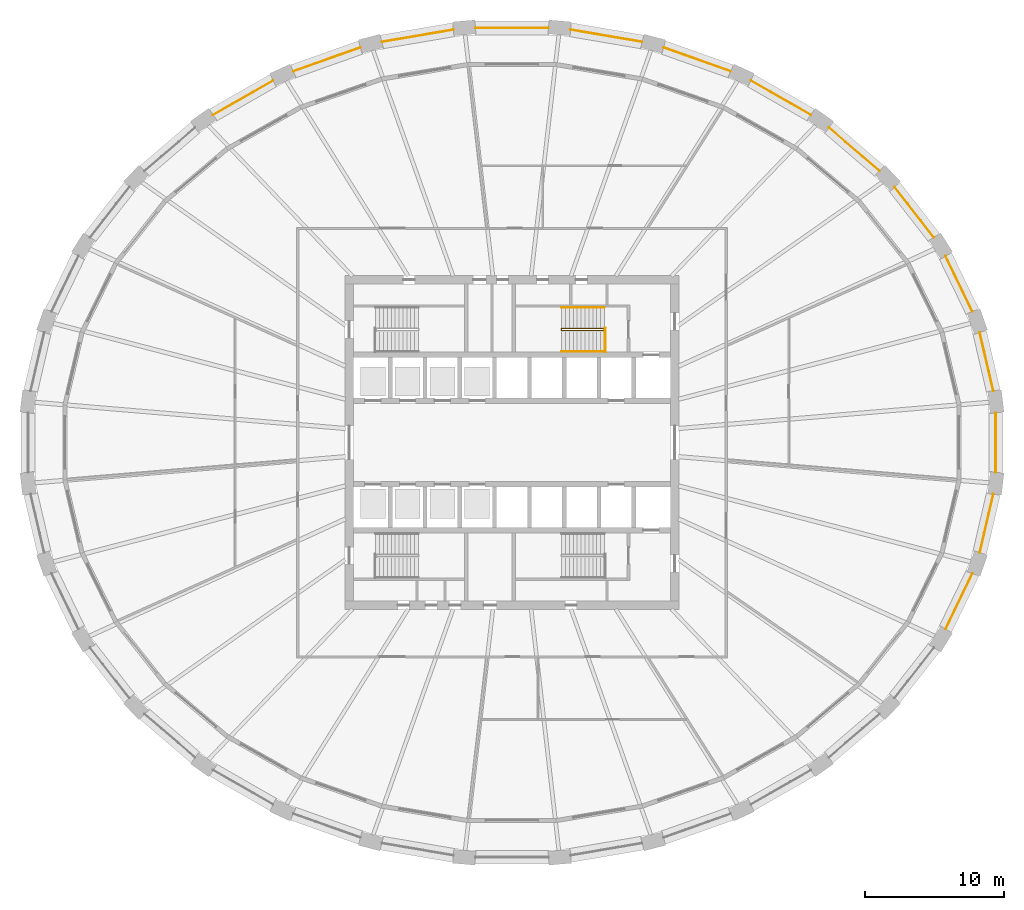
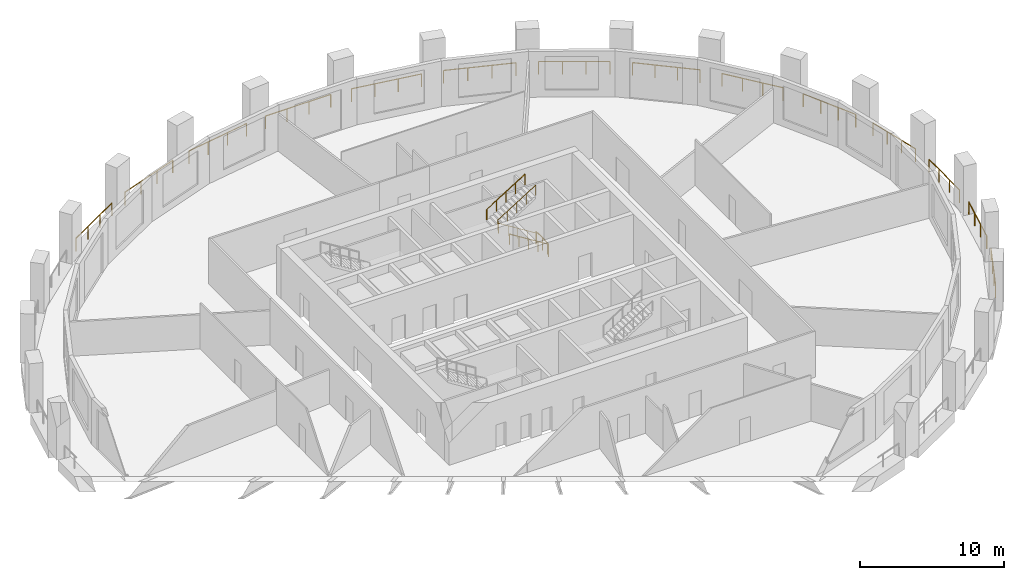
# One storey, part 9 of 10: 18 railings.
"""IFC4 building model written with IfcOpenShell, lengths in metres."""

import ifcopenshell
import ifcopenshell.guid

model = None  # the IFC model being written
_history = None  # IfcOwnerHistory: only IFC2X3 demands one
_inside = {}  # id of a spatial element -> (the spatial element, [elements in it])
_under = {}  # id of a project, library or spatial element -> (it, [spatial elements below it])
_declared = {}  # id of a project -> (the project, [libraries it declares])
_typed = {}  # id of a type object -> (the type object, [elements of that type])
_made_of = {}  # id of a material, layer set ... -> (it, [elements and type objects made of it])


def new_model(schema):
    """Start an empty IFC model of exactly this schema.

    Asked for "IFC4X3", IfcOpenShell would pick the latest addendum, in which some entities
    have other attributes; the version numbers below select the first issue.
    IFC2X3 requires an IfcOwnerHistory on every rooted entity: one is made here for all.
    """
    global model, _history
    if schema == "IFC4X3":
        model = ifcopenshell.file(schema_version=(4, 3, 0, 0))
    else:
        model = ifcopenshell.file(schema=schema)
    _inside.clear()
    _under.clear()
    _declared.clear()
    _typed.clear()
    _made_of.clear()
    _history = None
    if model.schema == "IFC2X3":
        org = make("IfcOrganization", Name="unknown")
        user = make(
            "IfcPersonAndOrganization",
            ThePerson=make("IfcPerson", FamilyName="unknown"),
            TheOrganization=org,
        )
        app = make(
            "IfcApplication",
            ApplicationDeveloper=org,
            Version="unknown",
            ApplicationFullName="unknown",
            ApplicationIdentifier="unknown",
        )
        _history = make(
            "IfcOwnerHistory",
            OwningUser=user,
            OwningApplication=app,
            ChangeAction="ADDED",
            CreationDate=0,
        )
    return model


def make(cls, **values):
    """One entity of the class cls with the attributes given. An attribute that is None is left unset."""
    return model.create_entity(
        cls, **{name: value for name, value in values.items() if value is not None}
    )


def rooted(cls, **values):
    """An entity with a GlobalId (a new one), such as an element, a storey or a relation."""
    return make(cls, GlobalId=ifcopenshell.guid.new(), OwnerHistory=_history, **values)


def si_unit(unit_type, name, prefix=None):
    """IfcSIUnit, for example si_unit("LENGTHUNIT", "METRE", prefix="MILLI")."""
    return make("IfcSIUnit", UnitType=unit_type, Prefix=prefix, Name=name)


def assignment(units):
    """IfcUnitAssignment: the units of a project."""
    return None if units is None else make("IfcUnitAssignment", Units=units)


def point(xyz):
    """IfcCartesianPoint."""
    return None if xyz is None else make("IfcCartesianPoint", Coordinates=xyz)


def direction(xyz):
    """IfcDirection."""
    return None if xyz is None else make("IfcDirection", DirectionRatios=xyz)


def frame(location, z_axis=None, x_axis=None):
    """IfcAxis2Placement3D, a coordinate frame: its origin and axes. An axis left out is left unset."""
    return make(
        "IfcAxis2Placement3D",
        Location=point(location),
        Axis=direction(z_axis),
        RefDirection=direction(x_axis),
    )


def frame_2d(location, x_axis=None):
    """IfcAxis2Placement2D, a coordinate frame in the plane: its origin and x axis."""
    return make(
        "IfcAxis2Placement2D", Location=point(location), RefDirection=direction(x_axis)
    )


def origin():
    """The frame at (0, 0, 0) with its axes left unset."""
    return frame((0.0, 0.0, 0.0))


def origin_2d():
    """The frame at (0, 0) in the plane with its x axis left unset."""
    return frame_2d((0.0, 0.0))


def place(relative_to, where):
    """IfcLocalPlacement: puts the frame where relative to a parent placement (None: the world)."""
    return make(
        "IfcLocalPlacement", PlacementRelTo=relative_to, RelativePlacement=where
    )


def context(
    kind, dimensions, precision=None, world=None, true_north=None, identifier=None
):
    """IfcGeometricRepresentationContext, for example the 3D "Model" context."""
    return make(
        "IfcGeometricRepresentationContext",
        ContextIdentifier=identifier,
        ContextType=kind,
        CoordinateSpaceDimension=dimensions,
        Precision=precision,
        WorldCoordinateSystem=world,
        TrueNorth=true_north,
    )


def subcontext(parent, identifier, kind, view, scale=None):
    """IfcGeometricRepresentationSubContext, for example "Body" below "Model"."""
    return make(
        "IfcGeometricRepresentationSubContext",
        ContextIdentifier=identifier,
        ContextType=kind,
        ParentContext=parent,
        TargetScale=scale,
        TargetView=view,
    )


def project(units=None, contexts=None):
    """IfcProject with its units and contexts."""
    return rooted(
        "IfcProject",
        Name="project",
        RepresentationContexts=contexts,
        UnitsInContext=assignment(units),
    )


def spatial(cls, under=None, at=None, **own):
    """A site, building, storey or space (cls), placed at a placement, below another one or the project."""
    s = rooted(cls, ObjectPlacement=at, **own)
    if under is not None:
        _under.setdefault(under.id(), (under, []))[1].append(s)
    return s


def profile(cls, at=None, kind="AREA", **sizes):
    """A parametric profile (cls). Its sizes go by their IFC names, for example OverallWidth=200.0."""
    return make(cls, ProfileType=kind, Position=at, **sizes)


def circle(**sizes):
    """IfcCircleProfileDef."""
    return profile("IfcCircleProfileDef", **sizes)


def extrude(swept, where, along, depth):
    """IfcExtrudedAreaSolid: the profile swept, set in the frame where, extruded along a direction by depth."""
    return make(
        "IfcExtrudedAreaSolid",
        SweptArea=swept,
        Position=where,
        ExtrudedDirection=direction(along),
        Depth=depth,
    )


def shape(context_of_items, identifier, shape_type, items):
    """IfcShapeRepresentation: the items that make up one representation, for example the "Body"."""
    return make(
        "IfcShapeRepresentation",
        ContextOfItems=context_of_items,
        RepresentationIdentifier=identifier,
        RepresentationType=shape_type,
        Items=items,
    )


def material(Name=None, Category=None):
    """IfcMaterial."""
    return make("IfcMaterial", Name=Name, Category=Category)


def made_of(thing, what):
    """Note that an element or type object is made of a material, layer set ...; save() writes the relation."""
    if what is not None:
        _made_of.setdefault(what.id(), (what, []))[1].append(thing)
    return thing


def type_object(cls, material=None, **own):
    """A type object (cls), such as IfcWallType, which elements share."""
    return made_of(rooted(cls, **own), material)


def element(
    cls,
    number,
    at=None,
    inside=None,
    cuts=None,
    type_object=None,
    material=None,
    context=None,
    identifier="Body",
    shape_type=None,
    held_by="IfcProductDefinitionShape",
    body=None,
    shapes=None,
    **own,
):
    """One element of the class cls, such as IfcWall. Its Tag is "e" and its number.

    at: its placement. inside: the storey or other place that contains it. cuts: it is an
    opening in that element (IfcRelVoidsElement). A single representation is given by context,
    identifier, shape_type and body (its items); several are given by shapes. held_by: the class
    of the entity that holds the representations. save() writes the other relations.
    """
    e = rooted(cls, Tag="e%d" % number, ObjectPlacement=at, **own)
    if body is not None:
        shapes = [shape(context, identifier, shape_type, body)]
    if shapes is not None:
        e.Representation = make(held_by, Representations=shapes)
    if inside is not None:
        _inside.setdefault(inside.id(), (inside, []))[1].append(e)
    if cuts is not None:
        rooted(
            "IfcRelVoidsElement", RelatingBuildingElement=cuts, RelatedOpeningElement=e
        )
    if type_object is not None:
        _typed.setdefault(type_object.id(), (type_object, []))[1].append(e)
    return made_of(e, material)


def aggregate(whole, parts):
    """IfcRelAggregates: a whole, such as a stair, and the parts it consists of."""
    return rooted("IfcRelAggregates", RelatingObject=whole, RelatedObjects=parts)


def save(model, path):
    """Write the relations noted so far, then the file.

    IfcRelAggregates (storeys below a building ...), IfcRelContainedInSpatialStructure (elements
    in a storey), IfcRelDefinesByType, IfcRelAssociatesMaterial and IfcRelDeclares: one each for
    every whole, place, type object, material and project.
    """
    for whole, parts in _under.values():
        aggregate(whole, parts)
    for where, things in _inside.values():
        rooted(
            "IfcRelContainedInSpatialStructure",
            RelatedElements=things,
            RelatingStructure=where,
        )
    for kind, things in _typed.values():
        rooted("IfcRelDefinesByType", RelatedObjects=things, RelatingType=kind)
    for what, things in _made_of.values():
        rooted("IfcRelAssociatesMaterial", RelatedObjects=things, RelatingMaterial=what)
    for by, libraries in _declared.values():
        rooted("IfcRelDeclares", RelatingContext=by, RelatedDefinitions=libraries)
    model.write(path)


model = new_model("IFC4")

# Units and contexts
model_context = context("Model", 3, precision=1e-05, world=origin(), true_north=direction((0.0, 1.0)))
body_context = subcontext(model_context, "Body", "Model", "MODEL_VIEW")
ifc_project = project(units=[si_unit("LENGTHUNIT", "METRE"), si_unit("AREAUNIT", "SQUARE_METRE"), si_unit("VOLUMEUNIT", "CUBIC_METRE"), si_unit("PLANEANGLEUNIT", "RADIAN"), si_unit("MASSUNIT", "GRAM", prefix="KILO")], contexts=[model_context])

# Site, building, storey
site_placement = place(None, origin())
site = spatial("IfcSite", under=ifc_project, at=site_placement, CompositionType="ELEMENT")
building_placement = place(site_placement, origin())
building = spatial("IfcBuilding", under=site, at=building_placement, Name="Halqa Exchange Tower", CompositionType="ELEMENT")
storey_placement = place(building_placement, frame((0.0, 0.0, 121.300048828125)))
storey = spatial("IfcBuildingStorey", under=building, at=storey_placement, Name="L27", CompositionType="ELEMENT", Elevation=121.300048828125)

# Railings
ifc_material = material(Name="Stainless steel", Category="steel")
railing_type_1 = type_object("IfcRailingType", Name="Guard 1100 stainless steel", PredefinedType="GUARDRAIL", material=ifc_material)
railing_1_placement = place(storey_placement, frame((34.598388671875, 3.71533203125, 0.0)))
element("IfcRailing", 1, at=railing_1_placement, inside=storey, type_object=railing_type_1, Name="Loggia guard 1", PredefinedType="GUARDRAIL", context=body_context, shape_type="SweptSolid", body=[
    extrude(circle(Radius=0.02392578125, at=origin_2d()), frame((0.0, 0.0, 1.076171875), z_axis=(-0.226116277414, 0.974100317774, 0.0), x_axis=(-0.974100317774, -0.226116277414, 0.0)), (0.0, 0.0, 1.0), 4.312255859375),
    extrude(circle(Radius=0.02099609375, at=origin_2d()), origin(), (0.0, 0.0, 1.0), 1.052001953125),
    extrude(circle(Radius=0.02099609375, at=origin_2d()), frame((-0.324951171875, 1.400146484375, 0.0)), (0.0, 0.0, 1.0), 1.052001953125),
    extrude(circle(Radius=0.02099609375, at=origin_2d()), frame((-0.650146484375, 2.800537109375, 0.0)), (0.0, 0.0, 1.0), 1.052001953125),
    extrude(circle(Radius=0.02099609375, at=origin_2d()), frame((-0.97509765625, 4.20068359375, 0.0)), (0.0, 0.0, 1.0), 1.052001953125),
])
railing_2_placement = place(storey_placement, frame((33.094482421875, 9.415771484375, 0.0)))
element("IfcRailing", 2, at=railing_2_placement, inside=storey, type_object=railing_type_1, Name="Loggia guard 2", PredefinedType="GUARDRAIL", context=body_context, shape_type="SweptSolid", body=[
    extrude(circle(Radius=0.02392578125, at=origin_2d()), frame((0.0, 0.0, 1.076171875), z_axis=(-0.43510232477, 0.900381012117, 0.0), x_axis=(-0.900381012117, -0.43510232477, 0.0)), (0.0, 0.0, 1.0), 4.425537109375),
    extrude(circle(Radius=0.02099609375, at=origin_2d()), origin(), (0.0, 0.0, 1.0), 1.052001953125),
    extrude(circle(Radius=0.02099609375, at=origin_2d()), frame((-0.641845703125, 1.328125, 0.0)), (0.0, 0.0, 1.0), 1.052001953125),
    extrude(circle(Radius=0.02099609375, at=origin_2d()), frame((-1.28369140625, 2.656494140625, 0.0)), (0.0, 0.0, 1.0), 1.052001953125),
    extrude(circle(Radius=0.02099609375, at=origin_2d()), frame((-1.925537109375, 3.984619140625, 0.0)), (0.0, 0.0, 1.0), 1.052001953125),
])
railing_3_placement = place(storey_placement, frame((30.3291015625, 14.75146484375, 0.0)))
element("IfcRailing", 3, at=railing_3_placement, inside=storey, type_object=railing_type_1, Name="Loggia guard 3", PredefinedType="GUARDRAIL", context=body_context, shape_type="SweptSolid", body=[
    extrude(circle(Radius=0.02392578125, at=origin_2d()), frame((0.0, 0.0, 1.076171875), z_axis=(-0.614794379483, 0.788687435526, 0.0), x_axis=(-0.788687435526, -0.614794379483, 0.0)), (0.0, 0.0, 1.0), 4.591064453125),
    extrude(circle(Radius=0.02099609375, at=origin_2d()), origin(), (0.0, 0.0, 1.0), 1.052001953125),
    extrude(circle(Radius=0.02099609375, at=origin_2d()), frame((-0.94091796875, 1.20703125, 0.0)), (0.0, 0.0, 1.0), 1.052001953125),
    extrude(circle(Radius=0.02099609375, at=origin_2d()), frame((-1.881591796875, 2.413818359375, 0.0)), (0.0, 0.0, 1.0), 1.052001953125),
    extrude(circle(Radius=0.02099609375, at=origin_2d()), frame((-2.822509765625, 3.620849609375, 0.0)), (0.0, 0.0, 1.0), 1.052001953125),
])
railing_4_placement = place(storey_placement, frame((26.4072265625, 19.523681640625, 0.0)))
element("IfcRailing", 4, at=railing_4_placement, inside=storey, type_object=railing_type_1, Name="Loggia guard 4", PredefinedType="GUARDRAIL", context=body_context, shape_type="SweptSolid", body=[
    extrude(circle(Radius=0.02392578125, at=origin_2d()), frame((0.0, 0.0, 1.076171875), z_axis=(-0.759213341011, 0.650841841641, 0.0), x_axis=(-0.650841841641, -0.759213341011, 0.0)), (0.0, 0.0, 1.0), 4.780517578125),
    extrude(circle(Radius=0.02099609375, at=origin_2d()), origin(), (0.0, 0.0, 1.0), 1.052001953125),
    extrude(circle(Radius=0.02099609375, at=origin_2d()), frame((-1.209716796875, 1.037109375, 0.0)), (0.0, 0.0, 1.0), 1.052001953125),
    extrude(circle(Radius=0.02099609375, at=origin_2d()), frame((-2.419677734375, 2.07421875, 0.0)), (0.0, 0.0, 1.0), 1.052001953125),
    extrude(circle(Radius=0.02099609375, at=origin_2d()), frame((-3.62939453125, 3.111328125, 0.0)), (0.0, 0.0, 1.0), 1.052001953125),
])
railing_5_placement = place(storey_placement, frame((21.476318359375, 23.552978515625, 0.0)))
element("IfcRailing", 5, at=railing_5_placement, inside=storey, type_object=railing_type_1, Name="Loggia guard 5", PredefinedType="GUARDRAIL", context=body_context, shape_type="SweptSolid", body=[
    extrude(circle(Radius=0.02392578125, at=origin_2d()), frame((0.0, 0.0, 1.076171875), z_axis=(-0.867764594192, 0.496975461232, 0.0), x_axis=(-0.496975461232, -0.867764594192, 0.0)), (0.0, 0.0, 1.0), 4.964599609375),
    extrude(circle(Radius=0.02099609375, at=origin_2d()), origin(), (0.0, 0.0, 1.0), 1.052001953125),
    extrude(circle(Radius=0.02099609375, at=origin_2d()), frame((-1.43603515625, 0.822509765625, 0.0)), (0.0, 0.0, 1.0), 1.052001953125),
    extrude(circle(Radius=0.02099609375, at=origin_2d()), frame((-2.8720703125, 1.644775390625, 0.0)), (0.0, 0.0, 1.0), 1.052001953125),
    extrude(circle(Radius=0.02099609375, at=origin_2d()), frame((-4.30810546875, 2.46728515625, 0.0)), (0.0, 0.0, 1.0), 1.052001953125),
])
railing_6_placement = place(storey_placement, frame((15.72021484375, 26.685546875, 0.0)))
element("IfcRailing", 6, at=railing_6_placement, inside=storey, type_object=railing_type_1, Name="Loggia guard 6", PredefinedType="GUARDRAIL", context=body_context, shape_type="SweptSolid", body=[
    extrude(circle(Radius=0.02392578125, at=origin_2d()), frame((0.0, 0.0, 1.076171875), z_axis=(-0.942363208547, 0.334591666329, 0.0), x_axis=(-0.334591666329, -0.942363208547, 0.0)), (0.0, 0.0, 1.0), 5.116455078125),
    extrude(circle(Radius=0.02099609375, at=origin_2d()), origin(), (0.0, 0.0, 1.0), 1.052001953125),
    extrude(circle(Radius=0.02099609375, at=origin_2d()), frame((-1.607177734375, 0.570556640625, 0.0)), (0.0, 0.0, 1.0), 1.052001953125),
    extrude(circle(Radius=0.02099609375, at=origin_2d()), frame((-3.21435546875, 1.141357421875, 0.0)), (0.0, 0.0, 1.0), 1.052001953125),
    extrude(circle(Radius=0.02099609375, at=origin_2d()), frame((-4.821533203125, 1.7119140625, 0.0)), (0.0, 0.0, 1.0), 1.052001953125),
])
railing_7_placement = place(storey_placement, frame((9.356201171875, 28.799560546875, 0.0)))
element("IfcRailing", 7, at=railing_7_placement, inside=storey, type_object=railing_type_1, Name="Loggia guard 7", PredefinedType="GUARDRAIL", context=body_context, shape_type="SweptSolid", body=[
    extrude(circle(Radius=0.02392578125, at=origin_2d()), frame((0.0, 0.0, 1.076171875), z_axis=(-0.985774843574, 0.168071287782, 0.0), x_axis=(-0.168071287782, -0.985774843574, 0.0)), (0.0, 0.0, 1.0), 5.21630859375),
    extrude(circle(Radius=0.02099609375, at=origin_2d()), origin(), (0.0, 0.0, 1.0), 1.052001953125),
    extrude(circle(Radius=0.02099609375, at=origin_2d()), frame((-1.714111328125, 0.292236328125, 0.0)), (0.0, 0.0, 1.0), 1.052001953125),
    extrude(circle(Radius=0.02099609375, at=origin_2d()), frame((-3.427978515625, 0.58447265625, 0.0)), (0.0, 0.0, 1.0), 1.052001953125),
    extrude(circle(Radius=0.02099609375, at=origin_2d()), frame((-5.14208984375, 0.876708984375, 0.0)), (0.0, 0.0, 1.0), 1.052001953125),
])
railing_8_placement = place(storey_placement, frame((2.62548828125, 29.810791015625, 0.0)))
element("IfcRailing", 8, at=railing_8_placement, inside=storey, type_object=railing_type_1, Name="Loggia guard 8", PredefinedType="GUARDRAIL", context=body_context, shape_type="SweptSolid", body=[
    extrude(circle(Radius=0.02392578125, at=origin_2d()), frame((0.0, 0.0, 1.076171875), z_axis=(-1.0, 0.0, 0.0), x_axis=(0.0, -1.0, 0.0)), (0.0, 0.0, 1.0), 5.2509765625),
    extrude(circle(Radius=0.02099609375, at=origin_2d()), origin(), (0.0, 0.0, 1.0), 1.052001953125),
    extrude(circle(Radius=0.02099609375, at=origin_2d()), frame((-1.750244140625, 0.0, 0.0)), (0.0, 0.0, 1.0), 1.052001953125),
    extrude(circle(Radius=0.02099609375, at=origin_2d()), frame((-3.500732421875, 0.0, 0.0)), (0.0, 0.0, 1.0), 1.052001953125),
    extrude(circle(Radius=0.02099609375, at=origin_2d()), frame((-5.2509765625, 0.0, 0.0)), (0.0, 0.0, 1.0), 1.052001953125),
])
railing_9_placement = place(storey_placement, frame((-4.214111328125, 29.67626953125, 0.0)))
element("IfcRailing", 9, at=railing_9_placement, inside=storey, type_object=railing_type_1, Name="Loggia guard 9", PredefinedType="GUARDRAIL", context=body_context, shape_type="SweptSolid", body=[
    extrude(circle(Radius=0.02392578125, at=origin_2d()), frame((0.0, 0.0, 1.076171875), z_axis=(-0.985774843574, -0.168071287782, 0.0), x_axis=(0.168071287782, -0.985774843574, 0.0)), (0.0, 0.0, 1.0), 5.21630859375),
    extrude(circle(Radius=0.02099609375, at=origin_2d()), origin(), (0.0, 0.0, 1.0), 1.052001953125),
    extrude(circle(Radius=0.02099609375, at=origin_2d()), frame((-1.714111328125, -0.292236328125, 0.0)), (0.0, 0.0, 1.0), 1.052001953125),
    extrude(circle(Radius=0.02099609375, at=origin_2d()), frame((-3.427978515625, -0.58447265625, 0.0)), (0.0, 0.0, 1.0), 1.052001953125),
    extrude(circle(Radius=0.02099609375, at=origin_2d()), frame((-5.14208984375, -0.876708984375, 0.0)), (0.0, 0.0, 1.0), 1.052001953125),
])
railing_10_placement = place(storey_placement, frame((-10.898681640625, 28.3974609375, 0.0)))
element("IfcRailing", 10, at=railing_10_placement, inside=storey, type_object=railing_type_1, Name="Loggia guard 10", PredefinedType="GUARDRAIL", context=body_context, shape_type="SweptSolid", body=[
    extrude(circle(Radius=0.02392578125, at=origin_2d()), frame((0.0, 0.0, 1.076171875), z_axis=(-0.942363208547, -0.334591666329, 0.0), x_axis=(0.334591666329, -0.942363208547, 0.0)), (0.0, 0.0, 1.0), 5.116455078125),
    extrude(circle(Radius=0.02099609375, at=origin_2d()), origin(), (0.0, 0.0, 1.0), 1.052001953125),
    extrude(circle(Radius=0.02099609375, at=origin_2d()), frame((-1.607177734375, -0.570556640625, 0.0)), (0.0, 0.0, 1.0), 1.052001953125),
    extrude(circle(Radius=0.02099609375, at=origin_2d()), frame((-3.21435546875, -1.141357421875, 0.0)), (0.0, 0.0, 1.0), 1.052001953125),
    extrude(circle(Radius=0.02099609375, at=origin_2d()), frame((-4.821533203125, -1.7119140625, 0.0)), (0.0, 0.0, 1.0), 1.052001953125),
])
railing_11_placement = place(storey_placement, frame((-17.168212890625, 26.020263671875, 0.0)))
element("IfcRailing", 11, at=railing_11_placement, inside=storey, type_object=railing_type_1, Name="Loggia guard 11", PredefinedType="GUARDRAIL", context=body_context, shape_type="SweptSolid", body=[
    extrude(circle(Radius=0.02392578125, at=origin_2d()), frame((0.0, 0.0, 1.076171875), z_axis=(-0.867764594192, -0.496975461232, 0.0), x_axis=(0.496975461232, -0.867764594192, 0.0)), (0.0, 0.0, 1.0), 4.964599609375),
    extrude(circle(Radius=0.02099609375, at=origin_2d()), origin(), (0.0, 0.0, 1.0), 1.052001953125),
    extrude(circle(Radius=0.02099609375, at=origin_2d()), frame((-1.43603515625, -0.822509765625, 0.0)), (0.0, 0.0, 1.0), 1.052001953125),
    extrude(circle(Radius=0.02099609375, at=origin_2d()), frame((-2.8720703125, -1.644775390625, 0.0)), (0.0, 0.0, 1.0), 1.052001953125),
    extrude(circle(Radius=0.02099609375, at=origin_2d()), frame((-4.30810546875, -2.46728515625, 0.0)), (0.0, 0.0, 1.0), 1.052001953125),
])
railing_12_placement = place(storey_placement, frame((31.1689453125, -13.400390625, 0.0)))
element("IfcRailing", 12, at=railing_12_placement, inside=storey, type_object=railing_type_1, Name="Loggia guard 30", PredefinedType="GUARDRAIL", context=body_context, shape_type="SweptSolid", body=[
    extrude(circle(Radius=0.02392578125, at=origin_2d()), frame((0.0, 0.0, 1.076171875), z_axis=(0.43510232477, 0.900381012117, 0.0), x_axis=(-0.900381012117, 0.43510232477, 0.0)), (0.0, 0.0, 1.0), 4.425537109375),
    extrude(circle(Radius=0.02099609375, at=origin_2d()), origin(), (0.0, 0.0, 1.0), 1.052001953125),
    extrude(circle(Radius=0.02099609375, at=origin_2d()), frame((0.641845703125, 1.328125, 0.0)), (0.0, 0.0, 1.0), 1.052001953125),
    extrude(circle(Radius=0.02099609375, at=origin_2d()), frame((1.28369140625, 2.656494140625, 0.0)), (0.0, 0.0, 1.0), 1.052001953125),
    extrude(circle(Radius=0.02099609375, at=origin_2d()), frame((1.925537109375, 3.984619140625, 0.0)), (0.0, 0.0, 1.0), 1.052001953125),
])
railing_13_placement = place(storey_placement, frame((33.623291015625, -7.916015625, 0.0)))
element("IfcRailing", 13, at=railing_13_placement, inside=storey, type_object=railing_type_1, Name="Loggia guard 31", PredefinedType="GUARDRAIL", context=body_context, shape_type="SweptSolid", body=[
    extrude(circle(Radius=0.02392578125, at=origin_2d()), frame((0.0, 0.0, 1.076171875), z_axis=(0.226116277414, 0.974100317774, 0.0), x_axis=(-0.974100317774, 0.226116277414, 0.0)), (0.0, 0.0, 1.0), 4.312255859375),
    extrude(circle(Radius=0.02099609375, at=origin_2d()), origin(), (0.0, 0.0, 1.0), 1.052001953125),
    extrude(circle(Radius=0.02099609375, at=origin_2d()), frame((0.324951171875, 1.400146484375, 0.0)), (0.0, 0.0, 1.0), 1.052001953125),
    extrude(circle(Radius=0.02099609375, at=origin_2d()), frame((0.650146484375, 2.800537109375, 0.0)), (0.0, 0.0, 1.0), 1.052001953125),
    extrude(circle(Radius=0.02099609375, at=origin_2d()), frame((0.97509765625, 4.20068359375, 0.0)), (0.0, 0.0, 1.0), 1.052001953125),
])
railing_14_placement = place(storey_placement, frame((34.779052734375, -2.135986328125, 0.0)))
element("IfcRailing", 14, at=railing_14_placement, inside=storey, type_object=railing_type_1, Name="Loggia guard 32", PredefinedType="GUARDRAIL", context=body_context, shape_type="SweptSolid", body=[
    extrude(circle(Radius=0.02392578125, at=origin_2d()), frame((0.0, 0.0, 1.076171875), z_axis=(0.0, 1.0, 0.0), x_axis=(-1.0, 0.0, 0.0)), (0.0, 0.0, 1.0), 4.27197265625),
    extrude(circle(Radius=0.02099609375, at=origin_2d()), origin(), (0.0, 0.0, 1.0), 1.052001953125),
    extrude(circle(Radius=0.02099609375, at=origin_2d()), frame((0.0, 1.424072265625, 0.0)), (0.0, 0.0, 1.0), 1.052001953125),
    extrude(circle(Radius=0.02099609375, at=origin_2d()), frame((0.0, 2.847900390625, 0.0)), (0.0, 0.0, 1.0), 1.052001953125),
    extrude(circle(Radius=0.02099609375, at=origin_2d()), frame((0.0, 4.27197265625, 0.0)), (0.0, 0.0, 1.0), 1.052001953125),
])
railing_type_2 = type_object("IfcRailingType", Name="Stair handrail 900", PredefinedType="HANDRAIL", material=ifc_material)
railing_15_placement = place(storey_placement, frame((6.64990234375, 8.06005859375, 0.175048828125)))
element("IfcRailing", 15, at=railing_15_placement, inside=storey, type_object=railing_type_2, Name="Handrail ST2.1", PredefinedType="HANDRAIL", context=body_context, shape_type="SweptSolid", body=[
    extrude(circle(Radius=0.02392578125, at=origin_2d()), frame((0.0, 0.0, 0.8759765625), z_axis=(-0.848009633417, 0.0, 0.529980812513), x_axis=(0.0, -1.0, 0.0)), (0.0, 0.0, 1.0), 3.6318359375),
    extrude(circle(Radius=0.02392578125, at=origin_2d()), frame((-3.079833984375, 0.0, 2.80078125), z_axis=(0.0, 0.595870227118, 0.803080738428), x_axis=(-1.0, 0.0, 0.0)), (0.0, 0.0, 1.0), 0.218017578125),
    extrude(circle(Radius=0.02392578125, at=origin_2d()), frame((-3.079833984375, 0.1298828125, 2.9755859375), z_axis=(0.847979421464, 0.0, 0.530029150871), x_axis=(0.0, 1.0, 0.0)), (0.0, 0.0, 1.0), 3.632080078125),
    extrude(circle(Radius=0.02099609375, at=origin_2d()), origin(), (0.0, 0.0, 1.0), 0.851806640625),
    extrude(circle(Radius=0.02099609375, at=origin_2d()), frame((-0.77001953125, 0.0, 0.481201171875)), (0.0, 0.0, 1.0), 0.851806640625),
    extrude(circle(Radius=0.02099609375, at=origin_2d()), frame((-1.5400390625, 0.0, 0.96240234375)), (0.0, 0.0, 1.0), 0.851806640625),
    extrude(circle(Radius=0.02099609375, at=origin_2d()), frame((-2.309814453125, 0.0, 1.443603515625)), (0.0, 0.0, 1.0), 0.851806640625),
    extrude(circle(Radius=0.02099609375, at=origin_2d()), frame((-3.079833984375, 0.0, 1.9248046875)), (0.0, 0.0, 1.0), 0.851806640625),
    extrude(circle(Radius=0.02099609375, at=origin_2d()), frame((-3.079833984375, 0.1298828125, 2.099853515625)), (0.0, 0.0, 1.0), 0.851806640625),
    extrude(circle(Radius=0.02099609375, at=origin_2d()), frame((-2.309814453125, 0.1298828125, 2.5810546875)), (0.0, 0.0, 1.0), 0.851806640625),
    extrude(circle(Radius=0.02099609375, at=origin_2d()), frame((-1.5400390625, 0.1298828125, 3.0625)), (0.0, 0.0, 1.0), 0.851806640625),
    extrude(circle(Radius=0.02099609375, at=origin_2d()), frame((-0.77001953125, 0.1298828125, 3.543701171875)), (0.0, 0.0, 1.0), 0.851806640625),
    extrude(circle(Radius=0.02099609375, at=origin_2d()), frame((0.0, 0.1298828125, 4.02490234375)), (0.0, 0.0, 1.0), 0.851806640625),
])
railing_16_placement = place(storey_placement, frame((6.64990234375, 6.550048828125, 0.175048828125)))
element("IfcRailing", 16, at=railing_16_placement, inside=storey, type_object=railing_type_2, Name="Handrail ST2.2", PredefinedType="HANDRAIL", context=body_context, shape_type="SweptSolid", body=[
    extrude(circle(Radius=0.02392578125, at=origin_2d()), frame((0.0, 0.0, 0.8759765625), z_axis=(-0.848009633417, 0.0, 0.529980812513), x_axis=(0.0, -1.0, 0.0)), (0.0, 0.0, 1.0), 3.6318359375),
    extrude(circle(Radius=0.02099609375, at=origin_2d()), origin(), (0.0, 0.0, 1.0), 0.851806640625),
    extrude(circle(Radius=0.02099609375, at=origin_2d()), frame((-0.77001953125, 0.0, 0.481201171875)), (0.0, 0.0, 1.0), 0.851806640625),
    extrude(circle(Radius=0.02099609375, at=origin_2d()), frame((-1.5400390625, 0.0, 0.96240234375)), (0.0, 0.0, 1.0), 0.851806640625),
    extrude(circle(Radius=0.02099609375, at=origin_2d()), frame((-2.309814453125, 0.0, 1.443603515625)), (0.0, 0.0, 1.0), 0.851806640625),
    extrude(circle(Radius=0.02099609375, at=origin_2d()), frame((-3.079833984375, 0.0, 1.9248046875)), (0.0, 0.0, 1.0), 0.851806640625),
])
railing_17_placement = place(storey_placement, frame((3.570068359375, 9.699951171875, 2.27490234375)))
element("IfcRailing", 17, at=railing_17_placement, inside=storey, type_object=railing_type_2, Name="Handrail ST2.3", PredefinedType="HANDRAIL", context=body_context, shape_type="SweptSolid", body=[
    extrude(circle(Radius=0.02392578125, at=origin_2d()), frame((0.0, 0.0, 0.8759765625), z_axis=(0.847979421464, 0.0, 0.530029150871), x_axis=(0.0, 1.0, 0.0)), (0.0, 0.0, 1.0), 3.632080078125),
    extrude(circle(Radius=0.02099609375, at=origin_2d()), origin(), (0.0, 0.0, 1.0), 0.851806640625),
    extrude(circle(Radius=0.02099609375, at=origin_2d()), frame((0.77001953125, 0.0, 0.481201171875)), (0.0, 0.0, 1.0), 0.851806640625),
    extrude(circle(Radius=0.02099609375, at=origin_2d()), frame((1.5400390625, 0.0, 0.96240234375)), (0.0, 0.0, 1.0), 0.851806640625),
    extrude(circle(Radius=0.02099609375, at=origin_2d()), frame((2.309814453125, 0.0, 1.44384765625)), (0.0, 0.0, 1.0), 0.851806640625),
    extrude(circle(Radius=0.02099609375, at=origin_2d()), frame((3.079833984375, 0.0, 1.925048828125)), (0.0, 0.0, 1.0), 0.851806640625),
])
railing_type_3 = type_object("IfcRailingType", Name="Stair well guard 1100", PredefinedType="GUARDRAIL", material=ifc_material)
railing_18_placement = place(storey_placement, frame((6.699951171875, 6.5, 0.0)))
element("IfcRailing", 18, at=railing_18_placement, inside=storey, type_object=railing_type_3, Name="Guard ST2 well", PredefinedType="GUARDRAIL", context=body_context, shape_type="SweptSolid", body=[
    extrude(circle(Radius=0.02392578125, at=origin_2d()), frame((0.0, 0.0, 1.076171875), z_axis=(0.0, 1.0, 0.0), x_axis=(-1.0, 0.0, 0.0)), (0.0, 0.0, 1.0), 1.75),
    extrude(circle(Radius=0.02099609375, at=origin_2d()), origin(), (0.0, 0.0, 1.0), 1.052001953125),
    extrude(circle(Radius=0.02099609375, at=origin_2d()), frame((0.0, 0.875, 0.0)), (0.0, 0.0, 1.0), 1.052001953125),
    extrude(circle(Radius=0.02099609375, at=origin_2d()), frame((0.0, 1.75, 0.0)), (0.0, 0.0, 1.0), 1.052001953125),
])

save(model, "model.ifc")
